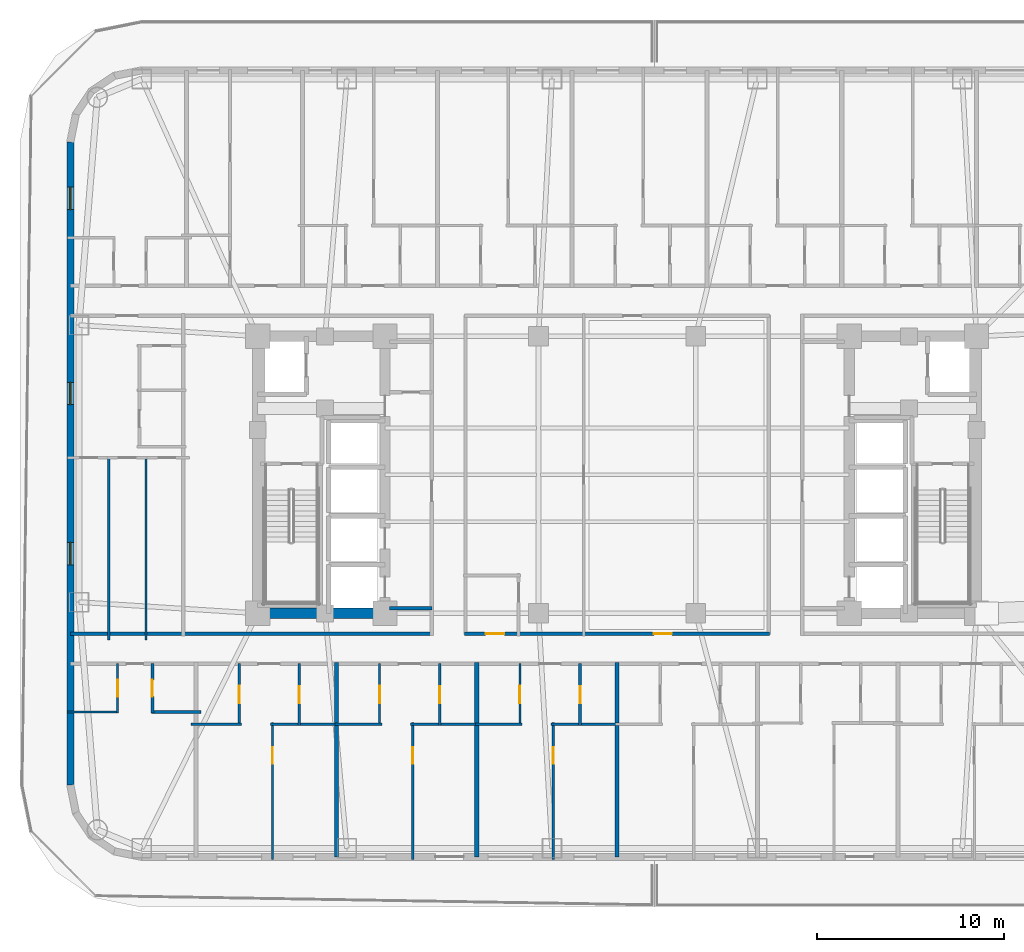
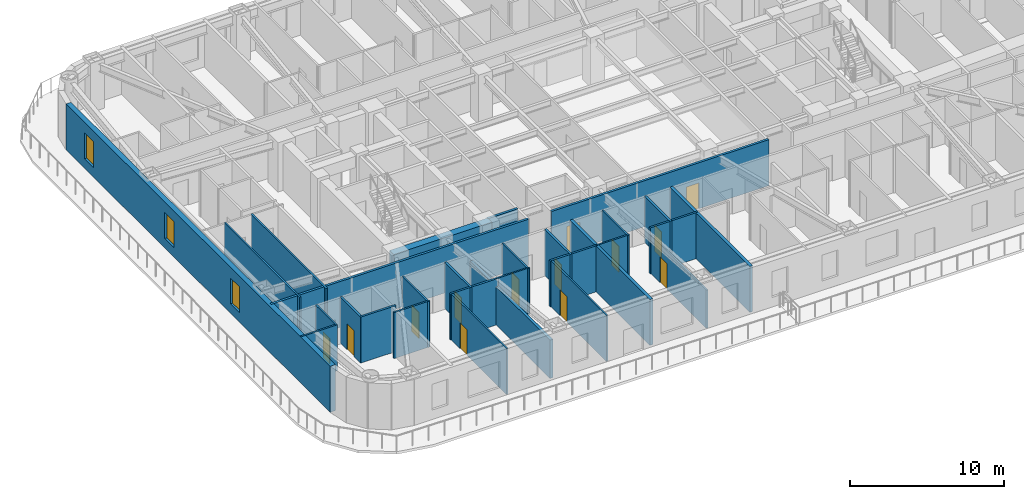
# One storey, part 3 of 16: 29 walls, 13 doors, 3 windows, 16 openings.
"""IFC4 building model written with IfcOpenShell, lengths in metres."""

from ifc_helpers import new_model, si_unit, direction, frame, frame_2d, origin, place, context, subcontext, project, spatial, rectangle, extrude, material, layer, layer_set, type_object, element, fill, save


model = new_model("IFC4")

# Units and contexts
model_context = context("Model", 3, precision=1e-05, world=origin(), true_north=direction((0.0, 1.0)))
body_context = subcontext(model_context, "Body", "Model", "MODEL_VIEW")
ifc_project = project(units=[si_unit("LENGTHUNIT", "METRE"), si_unit("AREAUNIT", "SQUARE_METRE"), si_unit("VOLUMEUNIT", "CUBIC_METRE"), si_unit("PLANEANGLEUNIT", "RADIAN"), si_unit("MASSUNIT", "GRAM", prefix="KILO")], contexts=[model_context])

# Site, building, storey
site_placement = place(None, origin())
site = spatial("IfcSite", under=ifc_project, at=site_placement, CompositionType="ELEMENT")
building_placement = place(site_placement, origin())
building = spatial("IfcBuilding", under=site, at=building_placement, Name="Voryun Gate Residences", CompositionType="ELEMENT")
storey_placement = place(building_placement, frame((0.0, 0.0, 113.10009765625)))
storey = spatial("IfcBuildingStorey", under=building, at=storey_placement, Name="L27", CompositionType="ELEMENT", Elevation=113.10009765625)

# Walls
ifc_material_1 = material(Name="Concrete C60/75", Category="concrete")
ifc_layer_1 = layer(ifc_material_1, 0.550048828125, Name="CW_CORE_550")
ifc_layer_set_1 = layer_set([ifc_layer_1], Name="Concrete C60/75")
wall_type_1 = type_object("IfcWallType", Name="CW_CORE_550", PredefinedType="SHEAR", material=ifc_layer_set_1)
wall_1_placement = place(storey_placement, frame((-19.47509765625, -7.39990234375, 0.0), z_axis=(0.0, 0.0, 1.0), x_axis=(1.0, 0.0, 0.0)))
element("IfcWall", 1, at=wall_1_placement, inside=storey, type_object=wall_type_1, Name="L27 Core shear wall CW-L27-WS", PredefinedType="SHEAR", context=body_context, shape_type="SweptSolid", body=[
    extrude(rectangle(XDim=7.35009765625, YDim=0.550048828125, at=frame_2d((3.675048828125, 0.0))), origin(), (0.0, 0.0, 1.0), 3.64990234375),
])
ifc_material_2 = material(Name="Gypsum acoustic fireboard")
ifc_layer_2 = layer(ifc_material_2, 0.179931640625, Name="W_CORR_RATED_180")
ifc_layer_set_2 = layer_set([ifc_layer_2], Name="Gypsum acoustic fireboard")
wall_type_2 = type_object("IfcWallType", Name="W_CORR_RATED_180", PredefinedType="PARTITIONING", material=ifc_layer_set_2)
wall_2_placement = place(storey_placement, frame((-12.14990234375, -7.1201171875, 0.0), z_axis=(0.0, 0.0, 1.0), x_axis=(1.0, 0.0, 0.0)))
element("IfcWall", 2, at=wall_2_placement, inside=storey, type_object=wall_type_2, Name="Partition wall WP-L27-PLBS-W", PredefinedType="PARTITIONING", context=body_context, shape_type="SweptSolid", body=[
    extrude(rectangle(XDim=2.27001953125, YDim=0.179931640625, at=frame_2d((1.135009765625, 0.0))), origin(), (0.0, 0.0, 1.0), 3.64990234375),
])
wall_3_placement = place(storey_placement, frame((-29.2099609375, -8.489990234375, 0.0), z_axis=(0.0, 0.0, 1.0), x_axis=(1.0, 0.0, 0.0)))
element("IfcWall", 3, at=wall_3_placement, inside=storey, type_object=wall_type_2, Name="Partition wall WP-L27-CWING-WS", PredefinedType="PARTITIONING", context=body_context, shape_type="SweptSolid", body=[
    extrude(rectangle(XDim=19.330078125, YDim=0.179931640625, at=frame_2d((9.6650390625, 0.0))), origin(), (0.0, 0.0, 1.0), 3.64990234375),
])

# Wall, openings, doors
wall_4_placement = place(storey_placement, frame((-8.14990234375, -8.489990234375, 0.0), z_axis=(0.0, 0.0, 1.0), x_axis=(1.0, 0.0, 0.0)))
wall_4 = element("IfcWall", 4, at=wall_4_placement, inside=storey, type_object=wall_type_2, Name="Partition wall WP-L27-Z1S", PredefinedType="PARTITIONING", context=body_context, shape_type="SweptSolid", body=[
    extrude(rectangle(XDim=16.2998046875, YDim=0.179931640625, at=frame_2d((8.14990234375, 0.0))), origin(), (0.0, 0.0, 1.0), 3.64990234375),
])
opening_1_placement = place(wall_4_placement, frame((1.1298828125, 0.0, 0.0)))
opening_1 = element("IfcOpeningElement", 5, at=opening_1_placement, cuts=wall_4, Name="Opening D-AWC-1", PredefinedType="OPENING", context=body_context, shape_type="SweptSolid", body=[
    extrude(rectangle(XDim=1.0, YDim=2.050048828125, at=frame_2d((0.5, 1.02490234375))), frame((0.0, 0.099853515625, 0.0), z_axis=(0.0, -1.0, 0.0), x_axis=(1.0, 0.0, 0.0)), (0.0, 0.0, 1.0), 0.199951171875),
])
opening_2_placement = place(wall_4_placement, frame((10.1201171875, 0.0, 0.0)))
opening_2 = element("IfcOpeningElement", 6, at=opening_2_placement, cuts=wall_4, Name="Opening D-INT-1", PredefinedType="OPENING", context=body_context, shape_type="SweptSolid", body=[
    extrude(rectangle(XDim=0.949951171875, YDim=2.050048828125, at=frame_2d((0.47509765625, 1.02490234375))), frame((0.0, 0.099853515625, 0.0), z_axis=(0.0, -1.0, 0.0), x_axis=(1.0, 0.0, 0.0)), (0.0, 0.0, 1.0), 0.199951171875),
])
ifc_material_3 = material(Name="Architectural oak veneer")
door_type_1 = type_object("IfcDoorType", Name="DR_ACC_WC_1000", OperationType="NOTDEFINED", PredefinedType="DOOR", material=ifc_material_3)
door_1_placement = place(opening_1_placement, origin())
door_1 = element("IfcDoor", 7, at=door_1_placement, inside=storey, type_object=door_type_1, Name="Door DR-L27-CMWC-D", OperationType="SINGLE_SWING_LEFT", OverallHeight=2.050048828125, OverallWidth=1.0, PredefinedType="DOOR", context=body_context, shape_type="SweptSolid", body=[
    extrude(rectangle(XDim=1.0, YDim=2.050048828125, at=frame_2d((0.5, 1.02490234375))), frame((0.0, 0.02490234375, 0.0), z_axis=(0.0, -1.0, 0.0), x_axis=(1.0, 0.0, 0.0)), (0.0, 0.0, 1.0), 0.050048828125),
])
fill(opening_1, door_1)
ifc_material_4 = material(Name="Architectural oak veneer")
door_type_2 = type_object("IfcDoorType", Name="DR_INT_ROOM_950", OperationType="NOTDEFINED", PredefinedType="DOOR", material=ifc_material_4)
door_2_placement = place(opening_2_placement, origin())
door_2 = element("IfcDoor", 8, at=door_2_placement, inside=storey, type_object=door_type_2, Name="Door DR-L27-CMIDZ1S", OperationType="SINGLE_SWING_RIGHT", OverallHeight=2.050048828125, OverallWidth=0.949951171875, PredefinedType="DOOR", context=body_context, shape_type="SweptSolid", body=[
    extrude(rectangle(XDim=0.949951171875, YDim=2.050048828125, at=frame_2d((0.47509765625, 1.02490234375))), frame((0.0, 0.02490234375, 0.0), z_axis=(0.0, -1.0, 0.0), x_axis=(1.0, 0.0, 0.0)), (0.0, 0.0, 1.0), 0.050048828125),
])
fill(opening_2, door_2)

# Wall, openings, windows
ifc_material_5 = material(Name="Granite masonry", Category="masonry")
ifc_layer_3 = layer(ifc_material_5, 0.3798828125, Name="W_EXT_GRANITE_380")
ifc_layer_set_3 = layer_set([ifc_layer_3], Name="Granite masonry")
wall_type_3 = type_object("IfcWallType", Name="W_EXT_GRANITE_380", PredefinedType="ELEMENTEDWALL", material=ifc_layer_set_3)
wall_5_placement = place(storey_placement, frame((-29.2099609375, -16.581298828125, 0.0), z_axis=(0.0, 0.0, 1.0), x_axis=(0.0, 1.0, 0.0)))
wall_5 = element("IfcWall", 9, at=wall_5_placement, inside=storey, type_object=wall_type_3, Name="Exterior wall WEXT-L27-06", PredefinedType="ELEMENTEDWALL", context=body_context, shape_type="SweptSolid", body=[
    extrude(rectangle(XDim=34.362548828125, YDim=0.3798828125, at=frame_2d((17.18115234375, 0.0))), origin(), (0.0, 0.0, 1.0), 3.64990234375),
])
opening_3_placement = place(wall_5_placement, frame((30.7568359375, 0.0, 0.75)))
opening_3 = element("IfcOpeningElement", 10, at=opening_3_placement, cuts=wall_5, Name="Opening WN6", PredefinedType="OPENING", context=body_context, shape_type="SweptSolid", body=[
    extrude(rectangle(XDim=1.199951171875, YDim=2.050048828125, at=frame_2d((0.60009765625, 1.02490234375))), frame((0.0, 0.199951171875, 0.0), z_axis=(0.0, -1.0, 0.0), x_axis=(1.0, 0.0, 0.0)), (0.0, 0.0, 1.0), 0.39990234375),
])
opening_4_placement = place(wall_5_placement, frame((20.326416015625, 0.0, 0.75)))
opening_4 = element("IfcOpeningElement", 11, at=opening_4_placement, cuts=wall_5, Name="Opening WN6", PredefinedType="OPENING", context=body_context, shape_type="SweptSolid", body=[
    extrude(rectangle(XDim=1.199951171875, YDim=2.050048828125, at=frame_2d((0.60009765625, 1.02490234375))), frame((0.0, 0.199951171875, 0.0), z_axis=(0.0, -1.0, 0.0), x_axis=(1.0, 0.0, 0.0)), (0.0, 0.0, 1.0), 0.39990234375),
])
opening_5_placement = place(wall_5_placement, frame((11.7763671875, 0.0, 0.75)))
opening_5 = element("IfcOpeningElement", 12, at=opening_5_placement, cuts=wall_5, Name="Opening WN6", PredefinedType="OPENING", context=body_context, shape_type="SweptSolid", body=[
    extrude(rectangle(XDim=1.199951171875, YDim=2.050048828125, at=frame_2d((0.60009765625, 1.02490234375))), frame((0.0, 0.199951171875, 0.0), z_axis=(0.0, -1.0, 0.0), x_axis=(1.0, 0.0, 0.0)), (0.0, 0.0, 1.0), 0.39990234375),
])
ifc_material_6 = material(Name="Laminated low-E glass", Category="glass")
window_type = type_object("IfcWindowType", Name="WN_POD_SLOT_1200", PartitioningType="SINGLE_PANEL", PredefinedType="WINDOW", material=ifc_material_6)
window_1_placement = place(opening_3_placement, origin())
window_1 = element("IfcWindow", 13, at=window_1_placement, inside=storey, type_object=window_type, Name="Window WN-L27-DWFIX-01", OverallHeight=2.050048828125, OverallWidth=1.199951171875, PartitioningType="SINGLE_PANEL", PredefinedType="WINDOW", context=body_context, shape_type="SweptSolid", body=[
    extrude(rectangle(XDim=1.199951171875, YDim=2.050048828125, at=frame_2d((0.60009765625, 1.02490234375))), frame((0.0, 0.030029296875, 0.0), z_axis=(0.0, -1.0, 0.0), x_axis=(1.0, 0.0, 0.0)), (0.0, 0.0, 1.0), 0.06005859375),
])
fill(opening_3, window_1)
window_2_placement = place(opening_4_placement, origin())
window_2 = element("IfcWindow", 14, at=window_2_placement, inside=storey, type_object=window_type, Name="Window WN-L27-DWFIX-24", OverallHeight=2.050048828125, OverallWidth=1.199951171875, PartitioningType="SINGLE_PANEL", PredefinedType="WINDOW", context=body_context, shape_type="SweptSolid", body=[
    extrude(rectangle(XDim=1.199951171875, YDim=2.050048828125, at=frame_2d((0.60009765625, 1.02490234375))), frame((0.0, 0.030029296875, 0.0), z_axis=(0.0, -1.0, 0.0), x_axis=(1.0, 0.0, 0.0)), (0.0, 0.0, 1.0), 0.06005859375),
])
fill(opening_4, window_2)
window_3_placement = place(opening_5_placement, origin())
window_3 = element("IfcWindow", 15, at=window_3_placement, inside=storey, type_object=window_type, Name="Window WN-L27-DWFIX-25", OverallHeight=2.050048828125, OverallWidth=1.199951171875, PartitioningType="SINGLE_PANEL", PredefinedType="WINDOW", context=body_context, shape_type="SweptSolid", body=[
    extrude(rectangle(XDim=1.199951171875, YDim=2.050048828125, at=frame_2d((0.60009765625, 1.02490234375))), frame((0.0, 0.030029296875, 0.0), z_axis=(0.0, -1.0, 0.0), x_axis=(1.0, 0.0, 0.0)), (0.0, 0.0, 1.0), 0.06005859375),
])
fill(opening_5, window_3)

# Walls
ifc_material_7 = material(Name="Concrete C40/50", Category="concrete")
ifc_layer_4 = layer(ifc_material_7, 0.219970703125, Name="W_PARTY_ACOUSTIC_220")
ifc_layer_set_4 = layer_set([ifc_layer_4], Name="Concrete C40/50")
wall_type_4 = type_object("IfcWallType", Name="W_PARTY_ACOUSTIC_220", PredefinedType="PARTITIONING", material=ifc_layer_set_4)
wall_6_placement = place(storey_placement, frame((-15.0, -20.409912109375, 0.0), z_axis=(0.0, 0.0, 1.0), x_axis=(0.0, 1.0, 0.0)))
element("IfcWall", 16, at=wall_6_placement, inside=storey, type_object=wall_type_4, Name="Partition wall WP-L27-SPTY-2", PredefinedType="PARTITIONING", context=body_context, shape_type="SweptSolid", body=[
    extrude(rectangle(XDim=10.389892578125, YDim=0.219970703125, at=frame_2d((5.19482421875, 0.0))), origin(), (0.0, 0.0, 1.0), 3.039794921875),
])
for number, where, z_axis, x_axis, name in (
    (17, (-7.5, -20.409912109375, 0.0), (0.0, 0.0, 1.0), (0.0, 1.0, 0.0), "Partition wall WP-L27-SPTY-3"),
    (18, (0.0, -20.409912109375, 0.0), (0.0, 0.0, 1.0), (0.0, 1.0, 0.0), "Partition wall WP-L27-SPTY-4"),
):
    element("IfcWall", number, at=place(storey_placement, frame(where, z_axis=z_axis, x_axis=x_axis)), inside=storey, type_object=wall_type_4, Name=name, PredefinedType="PARTITIONING", context=body_context, shape_type="SweptSolid", body=[
        extrude(rectangle(XDim=10.389892578125, YDim=0.219970703125, at=frame_2d((5.19482421875, 0.0))), origin(), (0.0, 0.0, 1.0), 3.64990234375),
    ])

# Wall, opening, door
ifc_material_8 = material(Name="Gypsum acoustic partition")
ifc_layer_5 = layer(ifc_material_8, 0.125, Name="W_UNIT_PART_125")
ifc_layer_set_5 = layer_set([ifc_layer_5], Name="Gypsum acoustic partition")
wall_type_5 = type_object("IfcWallType", Name="W_UNIT_PART_125", PredefinedType="PARTITIONING", material=ifc_layer_set_5)
wall_7_placement = place(storey_placement, frame((-26.68798828125, -12.72998046875, 0.0), z_axis=(0.0, 0.0, 1.0), x_axis=(0.0, 1.0, 0.0)))
wall_7 = element("IfcWall", 19, at=wall_7_placement, inside=storey, type_object=wall_type_5, Name="Partition wall WP-L27-S1-CVK", PredefinedType="PARTITIONING", context=body_context, shape_type="SweptSolid", body=[
    extrude(rectangle(XDim=2.64990234375, YDim=0.125, at=frame_2d((1.324951171875, 0.0))), origin(), (0.0, 0.0, 1.0), 3.64990234375),
])
opening_6_placement = place(wall_7_placement, frame((0.875, 0.0, 0.0)))
opening_6 = element("IfcOpeningElement", 20, at=opening_6_placement, cuts=wall_7, Name="Opening D-INT-2", PredefinedType="OPENING", context=body_context, shape_type="SweptSolid", body=[
    extrude(rectangle(XDim=0.89990234375, YDim=2.050048828125, at=frame_2d((0.449951171875, 1.02490234375))), frame((0.0, 0.072509765625, 0.0), z_axis=(0.0, -1.0, 0.0), x_axis=(1.0, 0.0, 0.0)), (0.0, 0.0, 1.0), 0.14501953125),
])
ifc_material_9 = material(Name="Architectural oak veneer")
door_type_3 = type_object("IfcDoorType", Name="DR_INT_BATH_900", OperationType="NOTDEFINED", PredefinedType="DOOR", material=ifc_material_9)
door_3_placement = place(opening_6_placement, origin())
door_3 = element("IfcDoor", 21, at=door_3_placement, inside=storey, type_object=door_type_3, Name="Door DR-L27-S1-DK", OperationType="SINGLE_SWING_LEFT", OverallHeight=2.050048828125, OverallWidth=0.89990234375, PredefinedType="DOOR", context=body_context, shape_type="SweptSolid", body=[
    extrude(rectangle(XDim=0.89990234375, YDim=2.050048828125, at=frame_2d((0.449951171875, 1.02490234375))), frame((0.0, 0.02490234375, 0.0), z_axis=(0.0, -1.0, 0.0), x_axis=(1.0, 0.0, 0.0)), (0.0, 0.0, 1.0), 0.050048828125),
])
fill(opening_6, door_3)

# Wall
wall_8_placement = place(storey_placement, frame((-29.360107421875, -12.669921875, 0.0), z_axis=(0.0, 0.0, 1.0), x_axis=(1.0, 0.0, 0.0)))
element("IfcWall", 22, at=wall_8_placement, inside=storey, type_object=wall_type_5, Name="Partition wall WP-L27-S1-CHK", PredefinedType="PARTITIONING", context=body_context, shape_type="SweptSolid", body=[
    extrude(rectangle(XDim=2.732177734375, YDim=0.125, at=frame_2d((1.3662109375, 0.0))), origin(), (0.0, 0.0, 1.0), 3.64990234375),
])

# Wall, opening, door
wall_9_placement = place(storey_placement, frame((-18.409912109375, -20.56005859375, 0.0), z_axis=(0.0, 0.0, 1.0), x_axis=(0.0, 1.0, 0.0)))
wall_9 = element("IfcWall", 23, at=wall_9_placement, inside=storey, type_object=wall_type_5, Name="Partition wall WP-L27-S2-OVR", PredefinedType="PARTITIONING", context=body_context, shape_type="SweptSolid", body=[
    extrude(rectangle(XDim=7.320068359375, YDim=0.125, at=frame_2d((3.66015625, 0.0))), origin(), (0.0, 0.0, 1.0), 3.64990234375),
])
opening_7_placement = place(wall_9_placement, frame((5.11328125, 0.0, 0.0)))
opening_7 = element("IfcOpeningElement", 24, at=opening_7_placement, cuts=wall_9, Name="Opening D-INT-2", PredefinedType="OPENING", context=body_context, shape_type="SweptSolid", body=[
    extrude(rectangle(XDim=0.89990234375, YDim=2.050048828125, at=frame_2d((0.449951171875, 1.02490234375))), frame((0.0, 0.072509765625, 0.0), z_axis=(0.0, -1.0, 0.0), x_axis=(1.0, 0.0, 0.0)), (0.0, 0.0, 1.0), 0.14501953125),
])
door_4_placement = place(opening_7_placement, origin())
door_4 = element("IfcDoor", 25, at=door_4_placement, inside=storey, type_object=door_type_3, Name="Door DR-L27-S2-DMB", OperationType="SINGLE_SWING_RIGHT", OverallHeight=2.050048828125, OverallWidth=0.89990234375, PredefinedType="DOOR", context=body_context, shape_type="SweptSolid", body=[
    extrude(rectangle(XDim=0.89990234375, YDim=2.050048828125, at=frame_2d((0.449951171875, 1.02490234375))), frame((0.0, 0.02490234375, 0.0), z_axis=(0.0, -1.0, 0.0), x_axis=(1.0, 0.0, 0.0)), (0.0, 0.0, 1.0), 0.050048828125),
])
fill(opening_7, door_4)

wall_10_placement = place(storey_placement, frame((-20.18994140625, -13.39990234375, 0.0), z_axis=(0.0, 0.0, 1.0), x_axis=(0.0, 1.0, 0.0)))
wall_10 = element("IfcWall", 26, at=wall_10_placement, inside=storey, type_object=wall_type_5, Name="Partition wall WP-L27-S2-IVK", PredefinedType="PARTITIONING", context=body_context, shape_type="SweptSolid", body=[
    extrude(rectangle(XDim=3.31982421875, YDim=0.125, at=frame_2d((1.659912109375, 0.0))), origin(), (0.0, 0.0, 1.0), 3.64990234375),
])
opening_8_placement = place(wall_10_placement, frame((1.18505859375, 0.0, 0.0)))
opening_8 = element("IfcOpeningElement", 27, at=opening_8_placement, cuts=wall_10, Name="Opening D-INT-1", PredefinedType="OPENING", context=body_context, shape_type="SweptSolid", body=[
    extrude(rectangle(XDim=0.949951171875, YDim=2.050048828125, at=frame_2d((0.47509765625, 1.02490234375))), frame((0.0, 0.072509765625, 0.0), z_axis=(0.0, -1.0, 0.0), x_axis=(1.0, 0.0, 0.0)), (0.0, 0.0, 1.0), 0.14501953125),
])
door_5_placement = place(opening_8_placement, origin())
door_5 = element("IfcDoor", 28, at=door_5_placement, inside=storey, type_object=door_type_2, Name="Door DR-L27-S2-DK", OperationType="SINGLE_SWING_LEFT", OverallHeight=2.050048828125, OverallWidth=0.949951171875, PredefinedType="DOOR", context=body_context, shape_type="SweptSolid", body=[
    extrude(rectangle(XDim=0.949951171875, YDim=2.050048828125, at=frame_2d((0.47509765625, 1.02490234375))), frame((0.0, 0.02490234375, 0.0), z_axis=(0.0, -1.0, 0.0), x_axis=(1.0, 0.0, 0.0)), (0.0, 0.0, 1.0), 0.050048828125),
])
fill(opening_8, door_5)

# Wall
wall_11_placement = place(storey_placement, frame((-22.760009765625, -13.320068359375, 0.0), z_axis=(0.0, 0.0, 1.0), x_axis=(1.0, 0.0, 0.0)))
element("IfcWall", 29, at=wall_11_placement, inside=storey, type_object=wall_type_5, Name="Partition wall WP-L27-S2-HZK", PredefinedType="PARTITIONING", context=body_context, shape_type="SweptSolid", body=[
    extrude(rectangle(XDim=2.68994140625, YDim=0.125, at=frame_2d((1.344970703125, 0.0))), origin(), (0.0, 0.0, 1.0), 3.64990234375),
])

# Wall, opening, door
wall_12_placement = place(storey_placement, frame((-10.909912109375, -20.56005859375, 0.0), z_axis=(0.0, 0.0, 1.0), x_axis=(0.0, 1.0, 0.0)))
wall_12 = element("IfcWall", 30, at=wall_12_placement, inside=storey, type_object=wall_type_5, Name="Partition wall WP-L27-S3-OVR", PredefinedType="PARTITIONING", context=body_context, shape_type="SweptSolid", body=[
    extrude(rectangle(XDim=7.320068359375, YDim=0.125, at=frame_2d((3.66015625, 0.0))), origin(), (0.0, 0.0, 1.0), 3.64990234375),
])
opening_9_placement = place(wall_12_placement, frame((5.11328125, 0.0, 0.0)))
opening_9 = element("IfcOpeningElement", 31, at=opening_9_placement, cuts=wall_12, Name="Opening D-INT-2", PredefinedType="OPENING", context=body_context, shape_type="SweptSolid", body=[
    extrude(rectangle(XDim=0.89990234375, YDim=2.050048828125, at=frame_2d((0.449951171875, 1.02490234375))), frame((0.0, 0.072509765625, 0.0), z_axis=(0.0, -1.0, 0.0), x_axis=(1.0, 0.0, 0.0)), (0.0, 0.0, 1.0), 0.14501953125),
])
door_6_placement = place(opening_9_placement, origin())
door_6 = element("IfcDoor", 32, at=door_6_placement, inside=storey, type_object=door_type_3, Name="Door DR-L27-S3-DMB", OperationType="SINGLE_SWING_RIGHT", OverallHeight=2.050048828125, OverallWidth=0.89990234375, PredefinedType="DOOR", context=body_context, shape_type="SweptSolid", body=[
    extrude(rectangle(XDim=0.89990234375, YDim=2.050048828125, at=frame_2d((0.449951171875, 1.02490234375))), frame((0.0, 0.02490234375, 0.0), z_axis=(0.0, -1.0, 0.0), x_axis=(1.0, 0.0, 0.0)), (0.0, 0.0, 1.0), 0.050048828125),
])
fill(opening_9, door_6)

wall_13_placement = place(storey_placement, frame((-12.68994140625, -13.39990234375, 0.0), z_axis=(0.0, 0.0, 1.0), x_axis=(0.0, 1.0, 0.0)))
wall_13 = element("IfcWall", 33, at=wall_13_placement, inside=storey, type_object=wall_type_5, Name="Partition wall WP-L27-S3-IVK", PredefinedType="PARTITIONING", context=body_context, shape_type="SweptSolid", body=[
    extrude(rectangle(XDim=3.31982421875, YDim=0.125, at=frame_2d((1.659912109375, 0.0))), origin(), (0.0, 0.0, 1.0), 3.64990234375),
])
opening_10_placement = place(wall_13_placement, frame((1.18505859375, 0.0, 0.0)))
opening_10 = element("IfcOpeningElement", 34, at=opening_10_placement, cuts=wall_13, Name="Opening D-INT-1", PredefinedType="OPENING", context=body_context, shape_type="SweptSolid", body=[
    extrude(rectangle(XDim=0.949951171875, YDim=2.050048828125, at=frame_2d((0.47509765625, 1.02490234375))), frame((0.0, 0.072509765625, 0.0), z_axis=(0.0, -1.0, 0.0), x_axis=(1.0, 0.0, 0.0)), (0.0, 0.0, 1.0), 0.14501953125),
])
door_7_placement = place(opening_10_placement, origin())
door_7 = element("IfcDoor", 35, at=door_7_placement, inside=storey, type_object=door_type_2, Name="Door DR-L27-S3-DK", OperationType="SINGLE_SWING_LEFT", OverallHeight=2.050048828125, OverallWidth=0.949951171875, PredefinedType="DOOR", context=body_context, shape_type="SweptSolid", body=[
    extrude(rectangle(XDim=0.949951171875, YDim=2.050048828125, at=frame_2d((0.47509765625, 1.02490234375))), frame((0.0, 0.02490234375, 0.0), z_axis=(0.0, -1.0, 0.0), x_axis=(1.0, 0.0, 0.0)), (0.0, 0.0, 1.0), 0.050048828125),
])
fill(opening_10, door_7)

# Wall
wall_14_placement = place(storey_placement, frame((-15.074951171875, -13.320068359375, 0.0), z_axis=(0.0, 0.0, 1.0), x_axis=(1.0, 0.0, 0.0)))
element("IfcWall", 36, at=wall_14_placement, inside=storey, type_object=wall_type_5, Name="Partition wall WP-L27-S3-HZK", PredefinedType="PARTITIONING", context=body_context, shape_type="SweptSolid", body=[
    extrude(rectangle(XDim=2.5048828125, YDim=0.125, at=frame_2d((1.25244140625, 0.0))), origin(), (0.0, 0.0, 1.0), 3.64990234375),
])

# Wall, opening, door
wall_15_placement = place(storey_placement, frame((-3.409912109375, -20.56005859375, 0.0), z_axis=(0.0, 0.0, 1.0), x_axis=(0.0, 1.0, 0.0)))
wall_15 = element("IfcWall", 37, at=wall_15_placement, inside=storey, type_object=wall_type_5, Name="Partition wall WP-L27-S4-OVR", PredefinedType="PARTITIONING", context=body_context, shape_type="SweptSolid", body=[
    extrude(rectangle(XDim=7.320068359375, YDim=0.125, at=frame_2d((3.66015625, 0.0))), origin(), (0.0, 0.0, 1.0), 3.039794921875),
])
opening_11_placement = place(wall_15_placement, frame((5.11328125, 0.0, 0.0)))
opening_11 = element("IfcOpeningElement", 38, at=opening_11_placement, cuts=wall_15, Name="Opening D-INT-2", PredefinedType="OPENING", context=body_context, shape_type="SweptSolid", body=[
    extrude(rectangle(XDim=0.89990234375, YDim=2.050048828125, at=frame_2d((0.449951171875, 1.02490234375))), frame((0.0, 0.072509765625, 0.0), z_axis=(0.0, -1.0, 0.0), x_axis=(1.0, 0.0, 0.0)), (0.0, 0.0, 1.0), 0.14501953125),
])
door_8_placement = place(opening_11_placement, origin())
door_8 = element("IfcDoor", 39, at=door_8_placement, inside=storey, type_object=door_type_3, Name="Door DR-L27-S4-DMB", OperationType="SINGLE_SWING_RIGHT", OverallHeight=2.050048828125, OverallWidth=0.89990234375, PredefinedType="DOOR", context=body_context, shape_type="SweptSolid", body=[
    extrude(rectangle(XDim=0.89990234375, YDim=2.050048828125, at=frame_2d((0.449951171875, 1.02490234375))), frame((0.0, 0.02490234375, 0.0), z_axis=(0.0, -1.0, 0.0), x_axis=(1.0, 0.0, 0.0)), (0.0, 0.0, 1.0), 0.050048828125),
])
fill(opening_11, door_8)

wall_16_placement = place(storey_placement, frame((-5.18994140625, -13.39990234375, 0.0), z_axis=(0.0, 0.0, 1.0), x_axis=(0.0, 1.0, 0.0)))
wall_16 = element("IfcWall", 40, at=wall_16_placement, inside=storey, type_object=wall_type_5, Name="Partition wall WP-L27-S4-IVK", PredefinedType="PARTITIONING", context=body_context, shape_type="SweptSolid", body=[
    extrude(rectangle(XDim=3.31982421875, YDim=0.125, at=frame_2d((1.659912109375, 0.0))), origin(), (0.0, 0.0, 1.0), 3.64990234375),
])
opening_12_placement = place(wall_16_placement, frame((1.18505859375, 0.0, 0.0)))
opening_12 = element("IfcOpeningElement", 41, at=opening_12_placement, cuts=wall_16, Name="Opening D-INT-1", PredefinedType="OPENING", context=body_context, shape_type="SweptSolid", body=[
    extrude(rectangle(XDim=0.949951171875, YDim=2.050048828125, at=frame_2d((0.47509765625, 1.02490234375))), frame((0.0, 0.072509765625, 0.0), z_axis=(0.0, -1.0, 0.0), x_axis=(1.0, 0.0, 0.0)), (0.0, 0.0, 1.0), 0.14501953125),
])
door_9_placement = place(opening_12_placement, origin())
door_9 = element("IfcDoor", 42, at=door_9_placement, inside=storey, type_object=door_type_2, Name="Door DR-L27-S4-DK", OperationType="SINGLE_SWING_LEFT", OverallHeight=2.050048828125, OverallWidth=0.949951171875, PredefinedType="DOOR", context=body_context, shape_type="SweptSolid", body=[
    extrude(rectangle(XDim=0.949951171875, YDim=2.050048828125, at=frame_2d((0.47509765625, 1.02490234375))), frame((0.0, 0.02490234375, 0.0), z_axis=(0.0, -1.0, 0.0), x_axis=(1.0, 0.0, 0.0)), (0.0, 0.0, 1.0), 0.050048828125),
])
fill(opening_12, door_9)

# Walls
wall_17_placement = place(storey_placement, frame((-7.574951171875, -13.320068359375, 0.0), z_axis=(0.0, 0.0, 1.0), x_axis=(1.0, 0.0, 0.0)))
element("IfcWall", 43, at=wall_17_placement, inside=storey, type_object=wall_type_5, Name="Partition wall WP-L27-S4-HZK", PredefinedType="PARTITIONING", context=body_context, shape_type="SweptSolid", body=[
    extrude(rectangle(XDim=2.5048828125, YDim=0.125, at=frame_2d((1.25244140625, 0.0))), origin(), (0.0, 0.0, 1.0), 3.64990234375),
])
for number, where, z_axis, x_axis, name in (
    (44, (-25.166015625, -8.81005859375, 0.0), (0.0, 0.0, 1.0), (0.0, 1.0, 0.0), "Partition wall WP-L27-W1-VMB2"),
    (45, (-27.160888671875, -8.81005859375, 0.0), (0.0, 0.0, 1.0), (0.0, 1.0, 0.0), "Partition wall WP-L27-W1-VMB"),
):
    element("IfcWall", number, at=place(storey_placement, frame(where, z_axis=z_axis, x_axis=x_axis)), inside=storey, type_object=wall_type_5, Name=name, PredefinedType="PARTITIONING", context=body_context, shape_type="SweptSolid", body=[
        extrude(rectangle(XDim=9.780029296875, YDim=0.125, at=frame_2d((4.89013671875, 0.0))), origin(), (0.0, 0.0, 1.0), 3.64990234375),
    ])

# Wall, opening, door
ifc_material_10 = material(Name="Gypsum moisture-resistant partition")
ifc_layer_6 = layer(ifc_material_10, 0.14990234375, Name="W_WET_PLUMB_150")
ifc_layer_set_6 = layer_set([ifc_layer_6], Name="Gypsum moisture-resistant partition")
wall_type_6 = type_object("IfcWallType", Name="W_WET_PLUMB_150", PredefinedType="PLUMBINGWALL", material=ifc_layer_set_6)
wall_18_placement = place(storey_placement, frame((-24.823974609375, -12.72998046875, 0.0), z_axis=(0.0, 0.0, 1.0), x_axis=(0.0, 1.0, 0.0)))
wall_18 = element("IfcWall", 46, at=wall_18_placement, inside=storey, type_object=wall_type_6, Name="Partition wall WP-L27-S1-CVB", PredefinedType="PLUMBINGWALL", context=body_context, shape_type="SweptSolid", body=[
    extrude(rectangle(XDim=2.64990234375, YDim=0.14990234375, at=frame_2d((1.324951171875, 0.0))), origin(), (0.0, 0.0, 1.0), 3.64990234375),
])
opening_13_placement = place(wall_18_placement, frame((0.875, 0.0, 0.0)))
opening_13 = element("IfcOpeningElement", 47, at=opening_13_placement, cuts=wall_18, Name="Opening D-INT-2", PredefinedType="OPENING", context=body_context, shape_type="SweptSolid", body=[
    extrude(rectangle(XDim=0.89990234375, YDim=2.050048828125, at=frame_2d((0.449951171875, 1.02490234375))), frame((0.0, 0.0849609375, 0.0), z_axis=(0.0, -1.0, 0.0), x_axis=(1.0, 0.0, 0.0)), (0.0, 0.0, 1.0), 0.169921875),
])
door_10_placement = place(opening_13_placement, origin())
door_10 = element("IfcDoor", 48, at=door_10_placement, inside=storey, type_object=door_type_3, Name="Door DR-L27-S1-DB", OperationType="SINGLE_SWING_RIGHT", OverallHeight=2.050048828125, OverallWidth=0.89990234375, PredefinedType="DOOR", context=body_context, shape_type="SweptSolid", body=[
    extrude(rectangle(XDim=0.89990234375, YDim=2.050048828125, at=frame_2d((0.449951171875, 1.02490234375))), frame((0.0, 0.02490234375, 0.0), z_axis=(0.0, -1.0, 0.0), x_axis=(1.0, 0.0, 0.0)), (0.0, 0.0, 1.0), 0.050048828125),
])
fill(opening_13, door_10)

# Walls
wall_19_placement = place(storey_placement, frame((-24.884033203125, -12.669921875, 0.0), z_axis=(0.0, 0.0, 1.0), x_axis=(1.0, 0.0, 0.0)))
element("IfcWall", 49, at=wall_19_placement, inside=storey, type_object=wall_type_6, Name="Partition wall WP-L27-S1-CHB", PredefinedType="PLUMBINGWALL", context=body_context, shape_type="SweptSolid", body=[
    extrude(rectangle(XDim=2.64404296875, YDim=0.14990234375, at=frame_2d((1.322021484375, 0.0))), origin(), (0.0, 0.0, 1.0), 3.64990234375),
])
wall_20_placement = place(storey_placement, frame((-18.530029296875, -13.320068359375, 0.0), z_axis=(0.0, 0.0, 1.0), x_axis=(1.0, 0.0, 0.0)))
element("IfcWall", 50, at=wall_20_placement, inside=storey, type_object=wall_type_6, Name="Partition wall WP-L27-S2-HZB", PredefinedType="PLUMBINGWALL", context=body_context, shape_type="SweptSolid", body=[
    extrude(rectangle(XDim=3.60498046875, YDim=0.14990234375, at=frame_2d((1.802490234375, 0.0))), origin(), (0.0, 0.0, 1.0), 3.64990234375),
])

# Wall, opening, door
wall_21_placement = place(storey_placement, frame((-16.97998046875, -13.39990234375, 0.0), z_axis=(0.0, 0.0, 1.0), x_axis=(0.0, 1.0, 0.0)))
wall_21 = element("IfcWall", 51, at=wall_21_placement, inside=storey, type_object=wall_type_6, Name="Partition wall WP-L27-S2-IVB", PredefinedType="PLUMBINGWALL", context=body_context, shape_type="SweptSolid", body=[
    extrude(rectangle(XDim=3.31982421875, YDim=0.14990234375, at=frame_2d((1.659912109375, 0.0))), origin(), (0.0, 0.0, 1.0), 3.64990234375),
])
opening_14_placement = place(wall_21_placement, frame((1.2099609375, 0.0, 0.0)))
opening_14 = element("IfcOpeningElement", 52, at=opening_14_placement, cuts=wall_21, Name="Opening D-INT-2", PredefinedType="OPENING", context=body_context, shape_type="SweptSolid", body=[
    extrude(rectangle(XDim=0.89990234375, YDim=2.050048828125, at=frame_2d((0.449951171875, 1.02490234375))), frame((0.0, 0.0849609375, 0.0), z_axis=(0.0, -1.0, 0.0), x_axis=(1.0, 0.0, 0.0)), (0.0, 0.0, 1.0), 0.169921875),
])
door_11_placement = place(opening_14_placement, origin())
door_11 = element("IfcDoor", 53, at=door_11_placement, inside=storey, type_object=door_type_3, Name="Door DR-L27-S2-DB", OperationType="SINGLE_SWING_RIGHT", OverallHeight=2.050048828125, OverallWidth=0.89990234375, PredefinedType="DOOR", context=body_context, shape_type="SweptSolid", body=[
    extrude(rectangle(XDim=0.89990234375, YDim=2.050048828125, at=frame_2d((0.449951171875, 1.02490234375))), frame((0.0, 0.02490234375, 0.0), z_axis=(0.0, -1.0, 0.0), x_axis=(1.0, 0.0, 0.0)), (0.0, 0.0, 1.0), 0.050048828125),
])
fill(opening_14, door_11)

# Wall
wall_22_placement = place(storey_placement, frame((-11.030029296875, -13.320068359375, 0.0), z_axis=(0.0, 0.0, 1.0), x_axis=(1.0, 0.0, 0.0)))
element("IfcWall", 54, at=wall_22_placement, inside=storey, type_object=wall_type_6, Name="Partition wall WP-L27-S3-HZB", PredefinedType="PLUMBINGWALL", context=body_context, shape_type="SweptSolid", body=[
    extrude(rectangle(XDim=3.60498046875, YDim=0.14990234375, at=frame_2d((1.802490234375, 0.0))), origin(), (0.0, 0.0, 1.0), 3.64990234375),
])

# Wall, opening, door
wall_23_placement = place(storey_placement, frame((-9.47998046875, -13.39990234375, 0.0), z_axis=(0.0, 0.0, 1.0), x_axis=(0.0, 1.0, 0.0)))
wall_23 = element("IfcWall", 55, at=wall_23_placement, inside=storey, type_object=wall_type_6, Name="Partition wall WP-L27-S3-IVB", PredefinedType="PLUMBINGWALL", context=body_context, shape_type="SweptSolid", body=[
    extrude(rectangle(XDim=3.31982421875, YDim=0.14990234375, at=frame_2d((1.659912109375, 0.0))), origin(), (0.0, 0.0, 1.0), 3.64990234375),
])
opening_15_placement = place(wall_23_placement, frame((1.2099609375, 0.0, 0.0)))
opening_15 = element("IfcOpeningElement", 56, at=opening_15_placement, cuts=wall_23, Name="Opening D-INT-2", PredefinedType="OPENING", context=body_context, shape_type="SweptSolid", body=[
    extrude(rectangle(XDim=0.89990234375, YDim=2.050048828125, at=frame_2d((0.449951171875, 1.02490234375))), frame((0.0, 0.0849609375, 0.0), z_axis=(0.0, -1.0, 0.0), x_axis=(1.0, 0.0, 0.0)), (0.0, 0.0, 1.0), 0.169921875),
])
door_12_placement = place(opening_15_placement, origin())
door_12 = element("IfcDoor", 57, at=door_12_placement, inside=storey, type_object=door_type_3, Name="Door DR-L27-S3-DB", OperationType="SINGLE_SWING_RIGHT", OverallHeight=2.050048828125, OverallWidth=0.89990234375, PredefinedType="DOOR", context=body_context, shape_type="SweptSolid", body=[
    extrude(rectangle(XDim=0.89990234375, YDim=2.050048828125, at=frame_2d((0.449951171875, 1.02490234375))), frame((0.0, 0.02490234375, 0.0), z_axis=(0.0, -1.0, 0.0), x_axis=(1.0, 0.0, 0.0)), (0.0, 0.0, 1.0), 0.050048828125),
])
fill(opening_15, door_12)

# Wall
wall_24_placement = place(storey_placement, frame((-3.530029296875, -13.320068359375, 0.0), z_axis=(0.0, 0.0, 1.0), x_axis=(1.0, 0.0, 0.0)))
element("IfcWall", 58, at=wall_24_placement, inside=storey, type_object=wall_type_6, Name="Partition wall WP-L27-S4-HZB", PredefinedType="PLUMBINGWALL", context=body_context, shape_type="SweptSolid", body=[
    extrude(rectangle(XDim=3.60498046875, YDim=0.14990234375, at=frame_2d((1.802490234375, 0.0))), origin(), (0.0, 0.0, 1.0), 3.64990234375),
])

# Wall, opening, door
wall_25_placement = place(storey_placement, frame((-1.97998046875, -13.39990234375, 0.0), z_axis=(0.0, 0.0, 1.0), x_axis=(0.0, 1.0, 0.0)))
wall_25 = element("IfcWall", 59, at=wall_25_placement, inside=storey, type_object=wall_type_6, Name="Partition wall WP-L27-S4-IVB", PredefinedType="PLUMBINGWALL", context=body_context, shape_type="SweptSolid", body=[
    extrude(rectangle(XDim=3.31982421875, YDim=0.14990234375, at=frame_2d((1.659912109375, 0.0))), origin(), (0.0, 0.0, 1.0), 3.64990234375),
])
opening_16_placement = place(wall_25_placement, frame((1.2099609375, 0.0, 0.0)))
opening_16 = element("IfcOpeningElement", 60, at=opening_16_placement, cuts=wall_25, Name="Opening D-INT-2", PredefinedType="OPENING", context=body_context, shape_type="SweptSolid", body=[
    extrude(rectangle(XDim=0.89990234375, YDim=2.050048828125, at=frame_2d((0.449951171875, 1.02490234375))), frame((0.0, 0.0849609375, 0.0), z_axis=(0.0, -1.0, 0.0), x_axis=(1.0, 0.0, 0.0)), (0.0, 0.0, 1.0), 0.169921875),
])
door_13_placement = place(opening_16_placement, origin())
door_13 = element("IfcDoor", 61, at=door_13_placement, inside=storey, type_object=door_type_3, Name="Door DR-L27-S4-DB", OperationType="SINGLE_SWING_RIGHT", OverallHeight=2.050048828125, OverallWidth=0.89990234375, PredefinedType="DOOR", context=body_context, shape_type="SweptSolid", body=[
    extrude(rectangle(XDim=0.89990234375, YDim=2.050048828125, at=frame_2d((0.449951171875, 1.02490234375))), frame((0.0, 0.02490234375, 0.0), z_axis=(0.0, -1.0, 0.0), x_axis=(1.0, 0.0, 0.0)), (0.0, 0.0, 1.0), 0.050048828125),
])
fill(opening_16, door_13)

save(model, "model.ifc")
